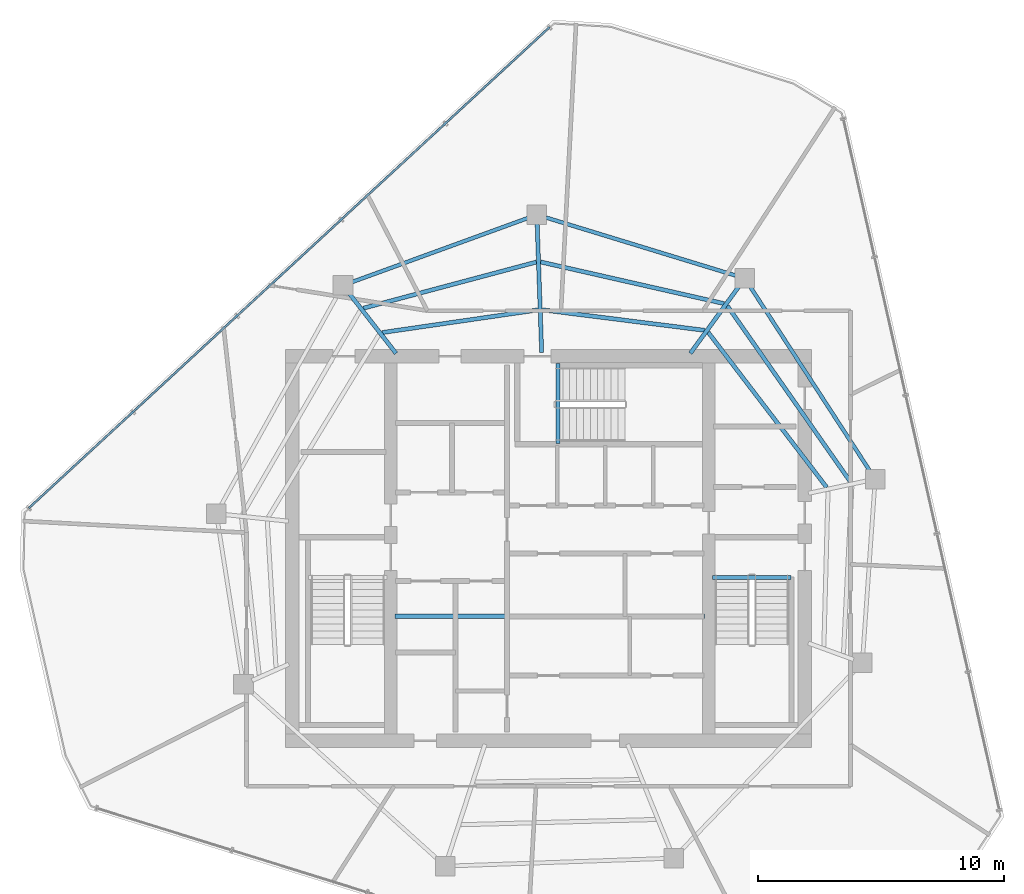
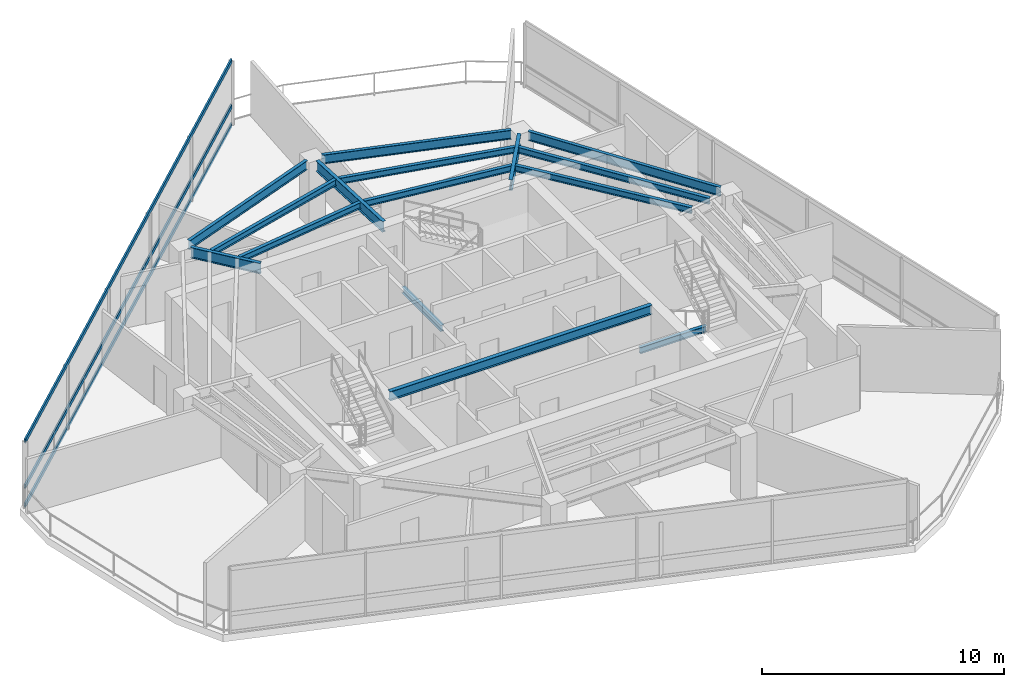
# One storey, part 7 of 19: 15 beams, 3 members, 1 element without a shape of its own.
"""IFC4 building model written with IfcOpenShell, lengths in metres."""

from ifc_helpers import new_model, si_unit, direction, frame, origin, origin_2d, place, context, subcontext, project, spatial, hollow_rectangle, i_section, extrude, material, layer, layer_set, material_profile, profile_set, type_object, element, aggregate, save


model = new_model("IFC4")

# Units and contexts
model_context = context("Model", 3, precision=1e-05, world=origin(), true_north=direction((0.0, 1.0)))
body_context = subcontext(model_context, "Body", "Model", "MODEL_VIEW")
ifc_project = project(units=[si_unit("LENGTHUNIT", "METRE"), si_unit("AREAUNIT", "SQUARE_METRE"), si_unit("VOLUMEUNIT", "CUBIC_METRE"), si_unit("PLANEANGLEUNIT", "RADIAN"), si_unit("MASSUNIT", "GRAM", prefix="KILO")], contexts=[model_context])

# Site, building, storey
site_placement = place(None, origin())
site = spatial("IfcSite", under=ifc_project, at=site_placement, CompositionType="ELEMENT")
building_placement = place(site_placement, origin())
building = spatial("IfcBuilding", under=site, at=building_placement, Name="Qarnah Convention Tower", CompositionType="ELEMENT")
storey_placement = place(building_placement, frame((0.0, 0.0, 228.300048828125)))
storey = spatial("IfcBuildingStorey", under=building, at=storey_placement, Name="L61", CompositionType="ELEMENT", Elevation=228.300048828125)

# Beams
ifc_material_1 = material(Name="Structural steel S355JR", Category="steel")
ifc_material_profile_1 = material_profile(ifc_material_1, i_section(OverallWidth=0.19189453125, OverallDepth=0.464111328125, WebThickness=0.010986328125, FlangeThickness=0.01806640625, at=origin_2d()), Name="W460X89")
ifc_profile_set_1 = profile_set([ifc_material_profile_1], Name="Structural steel S355JR")
beam_type_1 = type_object("IfcBeamType", Name="BM-CANT-W460A", PredefinedType="BEAM", material=ifc_profile_set_1)
beam_1_placement = place(storey_placement, frame((30.97998046875, 23.64990234375, 3.008056640625), z_axis=(1.0, 0.0, 0.0), x_axis=(0.0, 1.0, 0.0)))
element("IfcBeam", 1, at=beam_1_placement, inside=storey, type_object=beam_type_1, Name="L61 beam BM-L61-KC1", PredefinedType="BEAM", context=body_context, shape_type="SweptSolid", body=[
    extrude(i_section(OverallWidth=0.19189453125, OverallDepth=0.464111328125, WebThickness=0.010986328125, FlangeThickness=0.01806640625, at=origin_2d()), origin(), (0.0, 0.0, 1.0), 12.5400390625),
])
ifc_material_profile_2 = material_profile(ifc_material_1, i_section(OverallWidth=0.166015625, OverallDepth=0.31201171875, WebThickness=0.007080078125, FlangeThickness=0.010986328125, at=origin_2d()), Name="W310X45")
ifc_profile_set_2 = profile_set([ifc_material_profile_2], Name="Structural steel S355JR")
beam_type_2 = type_object("IfcBeamType", Name="BM-JST-W310", PredefinedType="JOIST", material=ifc_profile_set_2)
beam_2_placement = place(storey_placement, frame((43.860107421875, 25.217041015625, -0.156005859375), z_axis=(1.0, 0.0, 0.0), x_axis=(0.0, 1.0, 0.0)))
element("IfcBeam", 2, at=beam_2_placement, inside=storey, type_object=beam_type_2, Name="L61 stair landing trimmer beam BM-L61-ST2-TRM", PredefinedType="BEAM", context=body_context, shape_type="SweptSolid", body=[
    extrude(i_section(OverallWidth=0.166015625, OverallDepth=0.31201171875, WebThickness=0.007080078125, FlangeThickness=0.010986328125, at=origin_2d()), origin(), (0.0, 0.0, 1.0), 3.179931640625),
])
beam_3_placement = place(storey_placement, frame((37.5830078125, 30.659912109375, -0.156005859375), z_axis=(0.0, 1.0, 0.0), x_axis=(-1.0, 0.0, 0.0)))
element("IfcBeam", 3, at=beam_3_placement, inside=storey, type_object=beam_type_2, Name="L61 stair landing trimmer beam BM-L61-ST3-TRM", PredefinedType="BEAM", context=body_context, shape_type="SweptSolid", body=[
    extrude(i_section(OverallWidth=0.166015625, OverallDepth=0.31201171875, WebThickness=0.007080078125, FlangeThickness=0.010986328125, at=origin_2d()), origin(), (0.0, 0.0, 1.0), 3.239990234375),
])
beam_4_placement = place(storey_placement, frame((49.4599609375, 29.091064453125, 3.083984375), z_axis=(-0.573009887427, 0.819548454279, 0.0), x_axis=(-0.819548454279, -0.573009887427, 0.0)))
element("IfcBeam", 4, at=beam_4_placement, inside=storey, type_object=beam_type_2, Name="L61 joist BM-L61-SJST-01", PredefinedType="JOIST", context=body_context, shape_type="SweptSolid", body=[
    extrude(i_section(OverallWidth=0.166015625, OverallDepth=0.31201171875, WebThickness=0.007080078125, FlangeThickness=0.010986328125, at=origin_2d()), origin(), (0.0, 0.0, 1.0), 8.729248046875),
])
beam_5_placement = place(storey_placement, frame((44.318115234375, 36.339111328125, 3.083984375), z_axis=(-0.975196339646, 0.221341589269, 0.0), x_axis=(-0.221341589269, -0.975196339646, 0.0)))
element("IfcBeam", 5, at=beam_5_placement, inside=storey, type_object=beam_type_2, Name="L61 joist BM-L61-SJST-02", PredefinedType="JOIST", context=body_context, shape_type="SweptSolid", body=[
    extrude(i_section(OverallWidth=0.166015625, OverallDepth=0.31201171875, WebThickness=0.007080078125, FlangeThickness=0.010986328125, at=origin_2d()), origin(), (0.0, 0.0, 1.0), 7.626220703125),
])
beam_6_placement = place(storey_placement, frame((36.7060546875, 38.02392578125, 3.083984375), z_axis=(-0.966190302214, -0.25782998256, 0.0), x_axis=(0.25782998256, -0.966190302214, 0.0)))
element("IfcBeam", 6, at=beam_6_placement, inside=storey, type_object=beam_type_2, Name="L61 joist BM-L61-SJST-03", PredefinedType="JOIST", context=body_context, shape_type="SweptSolid", body=[
    extrude(i_section(OverallWidth=0.166015625, OverallDepth=0.31201171875, WebThickness=0.007080078125, FlangeThickness=0.010986328125, at=origin_2d()), origin(), (0.0, 0.0, 1.0), 7.2646484375),
])
beam_7_placement = place(storey_placement, frame((48.487060546875, 28.882080078125, 3.083984375), z_axis=(-0.60729325576, 0.794477753942, 0.0), x_axis=(-0.794477753942, -0.60729325576, 0.0)))
element("IfcBeam", 7, at=beam_7_placement, inside=storey, type_object=beam_type_2, Name="L61 joist BM-L61-IJST-01", PredefinedType="JOIST", context=body_context, shape_type="SweptSolid", body=[
    extrude(i_section(OverallWidth=0.166015625, OverallDepth=0.31201171875, WebThickness=0.007080078125, FlangeThickness=0.010986328125, at=origin_2d()), origin(), (0.0, 0.0, 1.0), 7.915771484375),
])
beam_8_placement = place(storey_placement, frame((43.535888671875, 35.25390625, 3.083984375), z_axis=(-0.992148311533, 0.125066893787, 0.0), x_axis=(-0.125066893787, -0.992148311533, 0.0)))
element("IfcBeam", 8, at=beam_8_placement, inside=storey, type_object=beam_type_2, Name="L61 joist BM-L61-IJST-02", PredefinedType="JOIST", context=body_context, shape_type="SweptSolid", body=[
    extrude(i_section(OverallWidth=0.166015625, OverallDepth=0.31201171875, WebThickness=0.007080078125, FlangeThickness=0.010986328125, at=origin_2d()), origin(), (0.0, 0.0, 1.0), 6.636962890625),
])
beam_9_placement = place(storey_placement, frame((36.77294921875, 36.08203125, 3.083984375), z_axis=(-0.989593962144, -0.143888116565, 0.0), x_axis=(0.143888116565, -0.989593962144, 0.0)))
element("IfcBeam", 9, at=beam_9_placement, inside=storey, type_object=beam_type_2, Name="L61 joist BM-L61-IJST-03", PredefinedType="JOIST", context=body_context, shape_type="SweptSolid", body=[
    extrude(i_section(OverallWidth=0.166015625, OverallDepth=0.31201171875, WebThickness=0.007080078125, FlangeThickness=0.010986328125, at=origin_2d()), origin(), (0.0, 0.0, 1.0), 6.386474609375),
])
ifc_material_profile_3 = material_profile(ifc_material_1, i_section(OverallWidth=0.166015625, OverallDepth=0.535888671875, WebThickness=0.010009765625, FlangeThickness=0.01708984375, at=origin_2d()), Name="W530X85")
ifc_profile_set_3 = profile_set([ifc_material_profile_3], Name="Structural steel S355JR")
beam_type_3 = type_object("IfcBeamType", Name="BM-RAD-W530B", PredefinedType="BEAM", material=ifc_profile_set_3)
beam_10_placement = place(storey_placement, frame((42.955078125, 34.321044921875, 2.971923828125), z_axis=(0.587699029113, 0.809079632162, 0.0), x_axis=(-0.809079632162, 0.587699029113, 0.0)))
element("IfcBeam", 10, at=beam_10_placement, inside=storey, type_object=beam_type_3, Name="L61 beam BM-L61-RAD-02", PredefinedType="BEAM", context=body_context, shape_type="SweptSolid", body=[
    extrude(i_section(OverallWidth=0.166015625, OverallDepth=0.535888671875, WebThickness=0.010009765625, FlangeThickness=0.01708984375, at=origin_2d()), origin(), (0.0, 0.0, 1.0), 3.37890625),
])
beam_11_placement = place(storey_placement, frame((36.923095703125, 34.35009765625, 2.971923828125), z_axis=(-0.035110435588, 0.999383438582, 0.0), x_axis=(-0.999383438582, -0.035110435588, 0.0)))
element("IfcBeam", 11, at=beam_11_placement, inside=storey, type_object=beam_type_3, Name="L61 beam BM-L61-RAD-03", PredefinedType="BEAM", context=body_context, shape_type="SweptSolid", body=[
    extrude(i_section(OverallWidth=0.166015625, OverallDepth=0.535888671875, WebThickness=0.010009765625, FlangeThickness=0.01708984375, at=origin_2d()), origin(), (0.0, 0.0, 1.0), 5.215087890625),
])
beam_12_placement = place(storey_placement, frame((31.013916015625, 34.318115234375, 2.971923828125), z_axis=(-0.61549837076, 0.78813815768, 0.0), x_axis=(-0.78813815768, -0.61549837076, 0.0)))
element("IfcBeam", 12, at=beam_12_placement, inside=storey, type_object=beam_type_3, Name="L61 beam BM-L61-RAD-04", PredefinedType="BEAM", context=body_context, shape_type="SweptSolid", body=[
    extrude(i_section(OverallWidth=0.166015625, OverallDepth=0.535888671875, WebThickness=0.010009765625, FlangeThickness=0.01708984375, at=origin_2d()), origin(), (0.0, 0.0, 1.0), 3.12255859375),
])
ifc_material_profile_4 = material_profile(ifc_material_1, i_section(OverallWidth=0.154052734375, OverallDepth=0.4599609375, WebThickness=0.009033203125, FlangeThickness=0.014892578125, at=origin_2d()), Name="W460X68")
ifc_profile_set_4 = profile_set([ifc_material_profile_4], Name="Structural steel S355JR")
beam_type_4 = type_object("IfcBeamType", Name="BM-SPN-W460B", PredefinedType="SPANDREL", material=ifc_profile_set_4)
beam_13_placement = place(storey_placement, frame((50.241943359375, 29.5439453125, 3.010009765625), z_axis=(-0.544739511184, 0.838605309401, 0.0), x_axis=(-0.838605309401, -0.544739511184, 0.0)))
element("IfcBeam", 13, at=beam_13_placement, inside=storey, type_object=beam_type_4, Name="L61 spandrel BM-L61-SPN-01", PredefinedType="SPANDREL", context=body_context, shape_type="SweptSolid", body=[
    extrude(i_section(OverallWidth=0.154052734375, OverallDepth=0.4599609375, WebThickness=0.009033203125, FlangeThickness=0.014892578125, at=origin_2d()), origin(), (0.0, 0.0, 1.0), 8.9326171875),
])
beam_14_placement = place(storey_placement, frame((44.791015625, 37.47607421875, 3.010009765625), z_axis=(-0.95628886523, 0.292423675918, 0.0), x_axis=(-0.292423675918, -0.95628886523, 0.0)))
element("IfcBeam", 14, at=beam_14_placement, inside=storey, type_object=beam_type_4, Name="L61 spandrel BM-L61-SPN-02", PredefinedType="SPANDREL", context=body_context, shape_type="SweptSolid", body=[
    extrude(i_section(OverallWidth=0.154052734375, OverallDepth=0.4599609375, WebThickness=0.009033203125, FlangeThickness=0.014892578125, at=origin_2d()), origin(), (0.0, 0.0, 1.0), 8.04248046875),
])
beam_15_placement = place(storey_placement, frame((36.361083984375, 39.80908203125, 3.010009765625), z_axis=(-0.939671356419, -0.342078561044, 0.0), x_axis=(0.342078561044, -0.939671356419, 0.0)))
element("IfcBeam", 15, at=beam_15_placement, inside=storey, type_object=beam_type_4, Name="L61 spandrel BM-L61-SPN-03", PredefinedType="SPANDREL", context=body_context, shape_type="SweptSolid", body=[
    extrude(i_section(OverallWidth=0.154052734375, OverallDepth=0.4599609375, WebThickness=0.009033203125, FlangeThickness=0.014892578125, at=origin_2d()), origin(), (0.0, 0.0, 1.0), 7.59521484375),
])

# Curtain wall, members
ifc_material_2 = material(Name="Tempered Low-E dark glass", Category="glass")
ifc_layer = layer(ifc_material_2, 0.176025390625)
ifc_layer_set = layer_set([ifc_layer], Name="Tempered Low-E dark glass")
curtain_wall_type = type_object("IfcCurtainWallType", Name="CWS-05", PredefinedType="NOTDEFINED", material=ifc_layer_set)
curtain_wall_placement = place(storey_placement, origin())
curtain_wall = element("IfcCurtainWall", 16, at=curtain_wall_placement, inside=storey, type_object=curtain_wall_type, Name="L61 unitised curtain wall CW-L61-F1", PredefinedType="NOTDEFINED")
ifc_material_3 = material(Name="Black anodised aluminium", Category="aluminium")
ifc_material_profile_5 = material_profile(ifc_material_3, hollow_rectangle(XDim=0.080078125, YDim=0.2099609375, WallThickness=0.0048828125, at=origin_2d()), Name="TRN-80X210")
ifc_profile_set_5 = profile_set([ifc_material_profile_5], Name="Black anodised aluminium")
member_type = type_object("IfcMemberType", Name="TRN-T5", PredefinedType="USERDEFINED", material=ifc_profile_set_5)
member_1_placement = place(storey_placement, frame((16.111083984375, 28.0390625, 0.0), z_axis=(0.73465601215, 0.678439786431, 0.0), x_axis=(-0.678439786431, 0.73465601215, 0.0)))
member_1 = element("IfcMember", 17, at=member_1_placement, type_object=member_type, Name="CW-L61-F1 transom 1", ObjectType="TRANSOM", PredefinedType="USERDEFINED", context=body_context, shape_type="SweptSolid", body=[
    extrude(hollow_rectangle(XDim=0.080078125, YDim=0.2099609375, WallThickness=0.0048828125, at=origin_2d()), origin(), (0.0, 0.0, 1.0), 28.762939453125),
])
member_2_placement = place(storey_placement, frame((16.111083984375, 28.0390625, 0.949951171875), z_axis=(0.73465601215, 0.678439786431, 0.0), x_axis=(-0.678439786431, 0.73465601215, 0.0)))
member_2 = element("IfcMember", 18, at=member_2_placement, type_object=member_type, Name="CW-L61-F1 transom 2", ObjectType="TRANSOM", PredefinedType="USERDEFINED", context=body_context, shape_type="SweptSolid", body=[
    extrude(hollow_rectangle(XDim=0.080078125, YDim=0.2099609375, WallThickness=0.0048828125, at=origin_2d()), origin(), (0.0, 0.0, 1.0), 28.762939453125),
])
member_3_placement = place(storey_placement, frame((16.111083984375, 28.0390625, 3.239990234375), z_axis=(0.73465601215, 0.678439786431, 0.0), x_axis=(-0.678439786431, 0.73465601215, 0.0)))
member_3 = element("IfcMember", 19, at=member_3_placement, type_object=member_type, Name="CW-L61-F1 transom 3", ObjectType="TRANSOM", PredefinedType="USERDEFINED", context=body_context, shape_type="SweptSolid", body=[
    extrude(hollow_rectangle(XDim=0.080078125, YDim=0.2099609375, WallThickness=0.0048828125, at=origin_2d()), origin(), (0.0, 0.0, 1.0), 28.762939453125),
])
aggregate(curtain_wall, [member_1, member_2, member_3])

save(model, "model.ifc")
